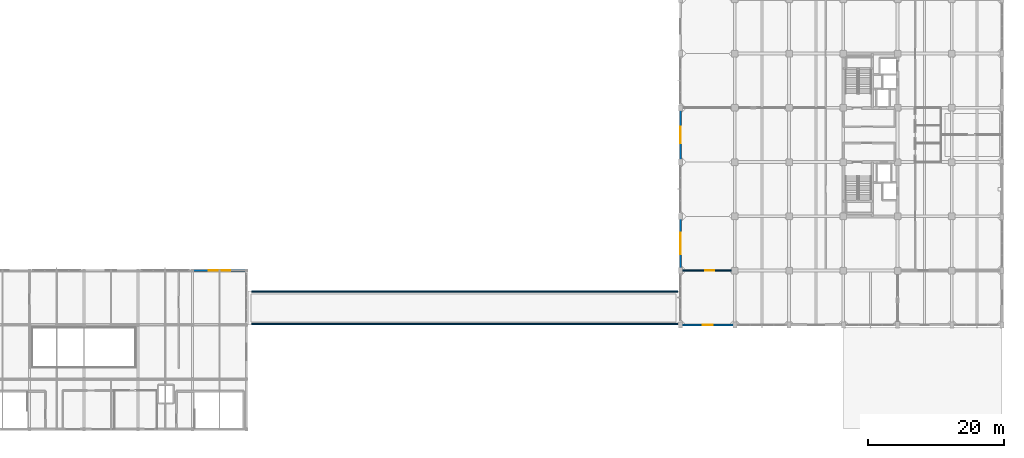
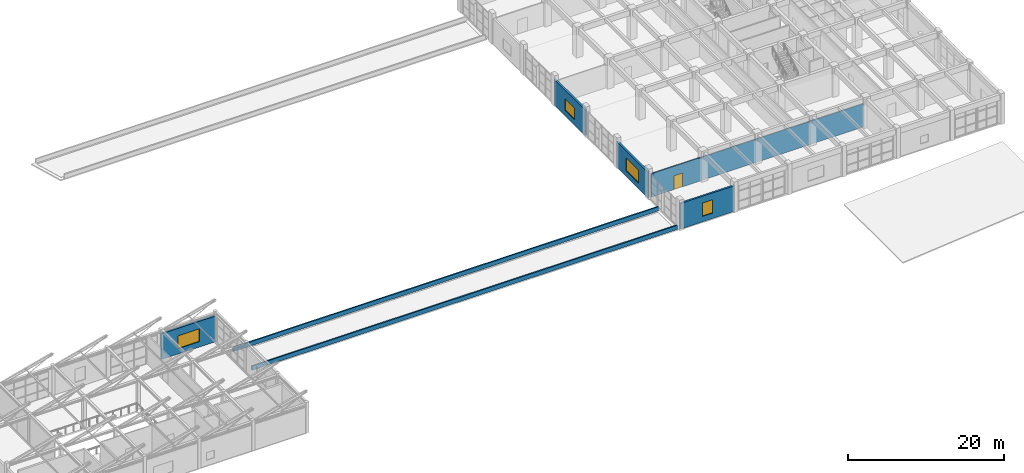
# One storey, part 50 of 63: 7 walls, 4 windows, 1 door, 5 openings.
"""IFC4 building model written with IfcOpenShell, lengths in metres."""

from ifc_helpers import new_model, si_unit, direction, frame, frame_2d, origin, place, context, subcontext, project, spatial, rectangle, extrude, material, layer, layer_set, type_object, element, fill, save


model = new_model("IFC4")

# Units and contexts
model_context = context("Model", 3, precision=1e-05, world=origin(), true_north=direction((0.0, 1.0)))
body_context = subcontext(model_context, "Body", "Model", "MODEL_VIEW")
ifc_project = project(units=[si_unit("LENGTHUNIT", "METRE"), si_unit("AREAUNIT", "SQUARE_METRE"), si_unit("VOLUMEUNIT", "CUBIC_METRE"), si_unit("PLANEANGLEUNIT", "RADIAN"), si_unit("MASSUNIT", "GRAM", prefix="KILO")], contexts=[model_context])

# Site, building, storey
site_placement = place(None, origin())
site = spatial("IfcSite", under=ifc_project, at=site_placement, CompositionType="ELEMENT")
building_placement = place(site_placement, origin())
building = spatial("IfcBuilding", under=site, at=building_placement, Name="Canggui Botanical Conservatory", CompositionType="ELEMENT")
storey_placement = place(building_placement, frame((0.0, 0.0, 10.199951171875)))
storey = spatial("IfcBuildingStorey", under=building, at=storey_placement, Name="L03", CompositionType="ELEMENT", Elevation=10.199951171875)

# Wall, opening, window
ifc_material_1 = material(Name="Precast Concrete C40", Category="concrete")
ifc_layer_1 = layer(ifc_material_1, 0.260009765625, Name="Precast Concrete C40", Category="concrete")
ifc_layer_set_1 = layer_set([ifc_layer_1], Name="Precast Concrete C40")
wall_type_1 = type_object("IfcWallType", Name="EW-260", PredefinedType="STANDARD", material=ifc_layer_set_1)
wall_1_placement = place(storey_placement, frame((58.0, 34.0, 0.0), z_axis=(0.0, 0.0, 1.0), x_axis=(1.0, 0.0, 0.0)))
wall_1 = element("IfcWall", 1, at=wall_1_placement, inside=storey, type_object=wall_type_1, Name="Visitor Centre Exterior Wall L03-13", PredefinedType="STANDARD", context=body_context, shape_type="SweptSolid", body=[
    extrude(rectangle(XDim=8.0, YDim=0.260009765625, at=frame_2d((4.0, 0.0))), origin(), (0.0, 0.0, 1.0), 4.010009765625),
])
opening_1_placement = place(wall_1_placement, frame((2.39990234375, 0.0, 0.85009765625)))
opening_1 = element("IfcOpeningElement", 2, at=opening_1_placement, cuts=wall_1, Name="Opening W-17", PredefinedType="OPENING", context=body_context, shape_type="SweptSolid", body=[
    extrude(rectangle(XDim=3.199951171875, YDim=2.0, at=frame_2d((1.60009765625, 1.0))), frame((0.0, 0.14013671875, 0.0), z_axis=(0.0, -1.0, 0.0), x_axis=(1.0, 0.0, 0.0)), (0.0, 0.0, 1.0), 0.280029296875),
])
ifc_material_2 = material(Name="Low-E Insulated Glass", Category="glass")
window_type_1 = type_object("IfcWindowType", Name="WIN-17", PartitioningType="TRIPLE_PANEL_VERTICAL", PredefinedType="WINDOW", material=ifc_material_2)
window_1_placement = place(opening_1_placement, origin())
window_1 = element("IfcWindow", 3, at=window_1_placement, inside=storey, type_object=window_type_1, Name="Visitor Centre Window L03-13", OverallHeight=2.0, OverallWidth=3.199951171875, PartitioningType="SINGLE_PANEL", PredefinedType="WINDOW", context=body_context, shape_type="SweptSolid", body=[
    extrude(rectangle(XDim=3.199951171875, YDim=2.0, at=frame_2d((1.60009765625, 1.0))), frame((0.0, 0.030029296875, 0.0), z_axis=(0.0, -1.0, 0.0), x_axis=(1.0, 0.0, 0.0)), (0.0, 0.0, 1.0), 0.06005859375),
])
fill(opening_1, window_1)

ifc_layer_2 = layer(ifc_material_1, 0.280029296875, Name="Precast Concrete C40", Category="concrete")
ifc_layer_set_2 = layer_set([ifc_layer_2], Name="Precast Concrete C40")
wall_type_2 = type_object("IfcWallType", Name="EW-280", PredefinedType="STANDARD", material=ifc_layer_set_2)
wall_2_placement = place(storey_placement, frame((138.0, 26.0, 0.0), z_axis=(0.0, 0.0, 1.0), x_axis=(-1.0, 0.0, 0.0)))
wall_2 = element("IfcWall", 4, at=wall_2_placement, inside=storey, type_object=wall_type_2, Name="Tower Insulated Exterior Wall L03-S6", PredefinedType="STANDARD", context=body_context, shape_type="SweptSolid", body=[
    extrude(rectangle(XDim=8.0, YDim=0.280029296875, at=frame_2d((4.0, 0.0))), origin(), (0.0, 0.0, 1.0), 4.0),
])
opening_2_placement = place(wall_2_placement, frame((3.25, 0.0, 0.85009765625)))
opening_2 = element("IfcOpeningElement", 5, at=opening_2_placement, cuts=wall_2, Name="Opening W-13", PredefinedType="OPENING", context=body_context, shape_type="SweptSolid", body=[
    extrude(rectangle(XDim=1.5, YDim=2.10009765625, at=frame_2d((0.75, 1.050048828125))), frame((0.0, 0.14990234375, 0.0), z_axis=(0.0, -1.0, 0.0), x_axis=(1.0, 0.0, 0.0)), (0.0, 0.0, 1.0), 0.300048828125),
])
window_type_2 = type_object("IfcWindowType", Name="WIN-13", PartitioningType="DOUBLE_PANEL_HORIZONTAL", PredefinedType="WINDOW", material=ifc_material_2)
window_2_placement = place(opening_2_placement, origin())
window_2 = element("IfcWindow", 6, at=window_2_placement, inside=storey, type_object=window_type_2, Name="Tower Window L03-6", OverallHeight=2.10009765625, OverallWidth=1.5, PartitioningType="SINGLE_PANEL", PredefinedType="WINDOW", context=body_context, shape_type="SweptSolid", body=[
    extrude(rectangle(XDim=1.5, YDim=2.10009765625, at=frame_2d((0.75, 1.050048828125))), frame((0.0, 0.030029296875, 0.0), z_axis=(0.0, -1.0, 0.0), x_axis=(1.0, 0.0, 0.0)), (0.0, 0.0, 1.0), 0.06005859375),
])
fill(opening_2, window_2)

wall_3_placement = place(storey_placement, frame((130.0, 34.0, 0.0), z_axis=(0.0, 0.0, 1.0), x_axis=(0.0, 1.0, 0.0)))
wall_3 = element("IfcWall", 7, at=wall_3_placement, inside=storey, type_object=wall_type_2, Name="Tower Insulated Exterior Wall L03-W8", PredefinedType="STANDARD", context=body_context, shape_type="SweptSolid", body=[
    extrude(rectangle(XDim=8.0, YDim=0.280029296875, at=frame_2d((4.0, 0.0))), origin(), (0.0, 0.0, 1.0), 4.0),
])
opening_3_placement = place(wall_3_placement, frame((2.39990234375, 0.0, 0.85009765625)))
opening_3 = element("IfcOpeningElement", 8, at=opening_3_placement, cuts=wall_3, Name="Opening W-17", PredefinedType="OPENING", context=body_context, shape_type="SweptSolid", body=[
    extrude(rectangle(XDim=3.199951171875, YDim=2.0, at=frame_2d((1.60009765625, 1.0))), frame((0.0, 0.14990234375, 0.0), z_axis=(0.0, -1.0, 0.0), x_axis=(1.0, 0.0, 0.0)), (0.0, 0.0, 1.0), 0.300048828125),
])
window_3_placement = place(opening_3_placement, origin())
window_3 = element("IfcWindow", 9, at=window_3_placement, inside=storey, type_object=window_type_1, Name="Tower Window L03-8", OverallHeight=2.0, OverallWidth=3.199951171875, PartitioningType="SINGLE_PANEL", PredefinedType="WINDOW", context=body_context, shape_type="SweptSolid", body=[
    extrude(rectangle(XDim=3.199951171875, YDim=2.0, at=frame_2d((1.60009765625, 1.0))), frame((0.0, 0.030029296875, 0.0), z_axis=(0.0, -1.0, 0.0), x_axis=(1.0, 0.0, 0.0)), (0.0, 0.0, 1.0), 0.06005859375),
])
fill(opening_3, window_3)

wall_4_placement = place(storey_placement, frame((130.0, 50.0, 0.0), z_axis=(0.0, 0.0, 1.0), x_axis=(0.0, 1.0, 0.0)))
wall_4 = element("IfcWall", 10, at=wall_4_placement, inside=storey, type_object=wall_type_2, Name="Tower Insulated Exterior Wall L03-W10", PredefinedType="STANDARD", context=body_context, shape_type="SweptSolid", body=[
    extrude(rectangle(XDim=8.0, YDim=0.280029296875, at=frame_2d((4.0, 0.0))), origin(), (0.0, 0.0, 1.0), 4.0),
])
opening_4_placement = place(wall_4_placement, frame((2.800048828125, 0.0, 0.85009765625)))
opening_4 = element("IfcOpeningElement", 11, at=opening_4_placement, cuts=wall_4, Name="Opening W-01", PredefinedType="OPENING", context=body_context, shape_type="SweptSolid", body=[
    extrude(rectangle(XDim=2.39990234375, YDim=1.800048828125, at=frame_2d((1.199951171875, 0.89990234375))), frame((0.0, 0.14990234375, 0.0), z_axis=(0.0, -1.0, 0.0), x_axis=(1.0, 0.0, 0.0)), (0.0, 0.0, 1.0), 0.300048828125),
])
window_type_3 = type_object("IfcWindowType", Name="WIN-01", PartitioningType="DOUBLE_PANEL_VERTICAL", PredefinedType="WINDOW", material=ifc_material_2)
window_4_placement = place(opening_4_placement, origin())
window_4 = element("IfcWindow", 12, at=window_4_placement, inside=storey, type_object=window_type_3, Name="Tower Window L03-10", OverallHeight=1.800048828125, OverallWidth=2.39990234375, PartitioningType="SINGLE_PANEL", PredefinedType="WINDOW", context=body_context, shape_type="SweptSolid", body=[
    extrude(rectangle(XDim=2.39990234375, YDim=1.800048828125, at=frame_2d((1.199951171875, 0.89990234375))), frame((0.0, 0.030029296875, 0.0), z_axis=(0.0, -1.0, 0.0), x_axis=(1.0, 0.0, 0.0)), (0.0, 0.0, 1.0), 0.06005859375),
])
fill(opening_4, window_4)

# Wall, opening, door
ifc_material_3 = material(Name="Gypsum Plasterboard Partition")
ifc_layer_3 = layer(ifc_material_3, 0.175048828125, Name="Gypsum Plasterboard Partition")
ifc_layer_set_3 = layer_set([ifc_layer_3], Name="Gypsum Plasterboard Partition")
wall_type_3 = type_object("IfcWallType", Name="IW-CORR-175", PredefinedType="STANDARD", material=ifc_layer_set_3)
wall_5_placement = place(storey_placement, frame((130.35009765625, 34.0, 0.0), z_axis=(0.0, 0.0, 1.0), x_axis=(1.0, 0.0, 0.0)))
wall_5 = element("IfcWall", 13, at=wall_5_placement, inside=storey, type_object=wall_type_3, Name="L03 High-Resolution Herbarium Imaging Studio South Suite Wall", PredefinedType="STANDARD", context=body_context, shape_type="SweptSolid", body=[
    extrude(rectangle(XDim=31.2998046875, YDim=0.175048828125, at=frame_2d((15.64990234375, 0.0))), origin(), (0.0, 0.0, 1.0), 3.630126953125),
])
opening_5_placement = place(wall_5_placement, frame((3.300048828125, 0.0, 0.0)))
opening_5 = element("IfcOpeningElement", 14, at=opening_5_placement, cuts=wall_5, Name="Opening FD-09", PredefinedType="OPENING", context=body_context, shape_type="SweptSolid", body=[
    extrude(rectangle(XDim=1.300048828125, YDim=2.14990234375, at=frame_2d((0.64990234375, 1.074951171875))), frame((0.0, 0.09765625, 0.0), z_axis=(0.0, -1.0, 0.0), x_axis=(1.0, 0.0, 0.0)), (0.0, 0.0, 1.0), 0.195068359375),
])
ifc_material_4 = material(Name="Powder-Coated Steel", Category="steel")
door_type = type_object("IfcDoorType", Name="FD-09", OperationType="NOTDEFINED", PredefinedType="DOOR", material=ifc_material_4)
door_placement = place(opening_5_placement, origin())
door = element("IfcDoor", 15, at=door_placement, inside=storey, type_object=door_type, Name="Interior Door IW-L03-SCOR-1", OperationType="SINGLE_SWING_RIGHT", OverallHeight=2.14990234375, OverallWidth=1.300048828125, PredefinedType="DOOR", context=body_context, shape_type="SweptSolid", body=[
    extrude(rectangle(XDim=1.300048828125, YDim=2.14990234375, at=frame_2d((0.64990234375, 1.074951171875))), frame((0.0, 0.02490234375, 0.0), z_axis=(0.0, -1.0, 0.0), x_axis=(1.0, 0.0, 0.0)), (0.0, 0.0, 1.0), 0.050048828125),
])
fill(opening_5, door)

# Walls
ifc_layer_4 = layer(ifc_material_1, 0.199951171875, Name="Precast Concrete C40", Category="concrete")
ifc_layer_set_4 = layer_set([ifc_layer_4], Name="Precast Concrete C40")
wall_type_4 = type_object("IfcWallType", Name="PAR-200", PredefinedType="PARAPET", material=ifc_layer_set_4)
for number, where, z_axis, x_axis, name in (
    (16, (66.800048828125, 26.10009765625, 0.0), (0.0, 0.0, 1.0), (1.0, 0.0, 0.0), "SB-01 South Roof Parapet"),
    (17, (129.60009765625, 30.89990234375, 0.0), (0.0, 0.0, 1.0), (-1.0, 0.0, 0.0), "SB-01 North Roof Parapet"),
):
    element("IfcWall", number, at=place(storey_placement, frame(where, z_axis=z_axis, x_axis=x_axis)), inside=storey, type_object=wall_type_4, Name=name, PredefinedType="PARAPET", context=body_context, shape_type="SweptSolid", body=[
        extrude(rectangle(XDim=62.800048828125, YDim=0.199951171875, at=frame_2d((31.39990234375, 0.0))), origin(), (0.0, 0.0, 1.0), 0.650146484375),
    ])

save(model, "model.ifc")
